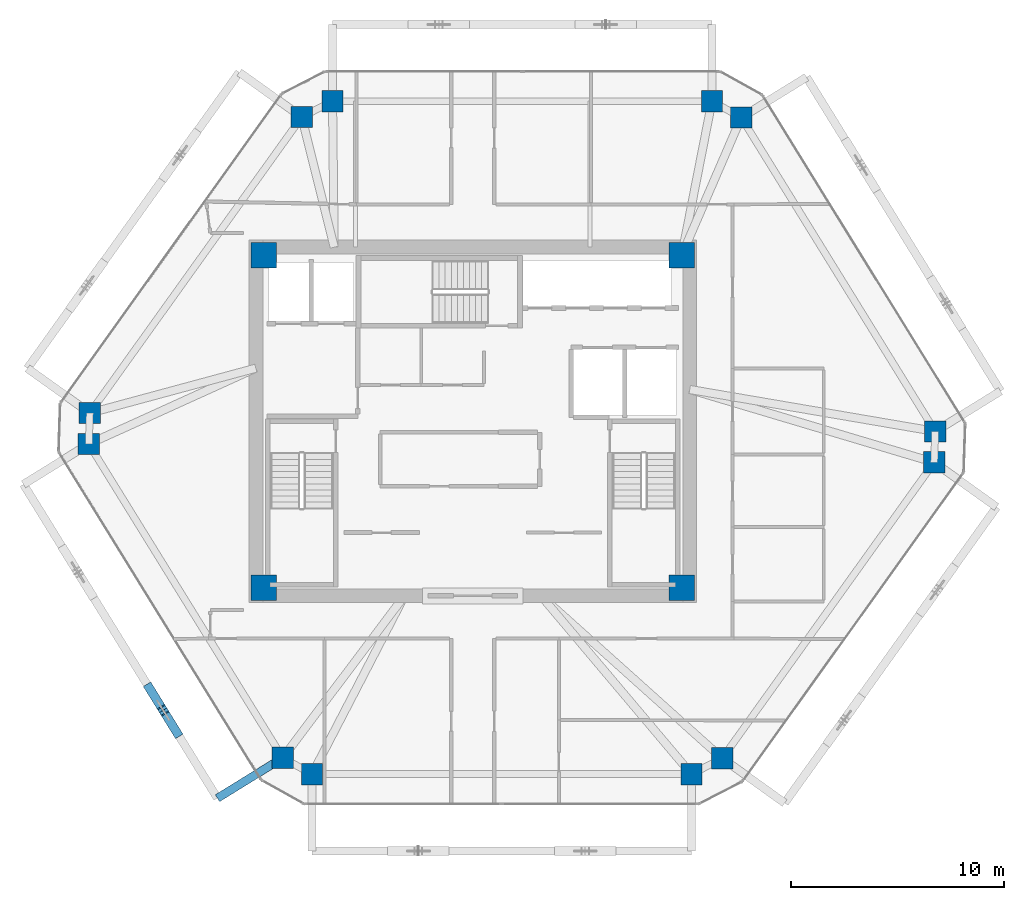
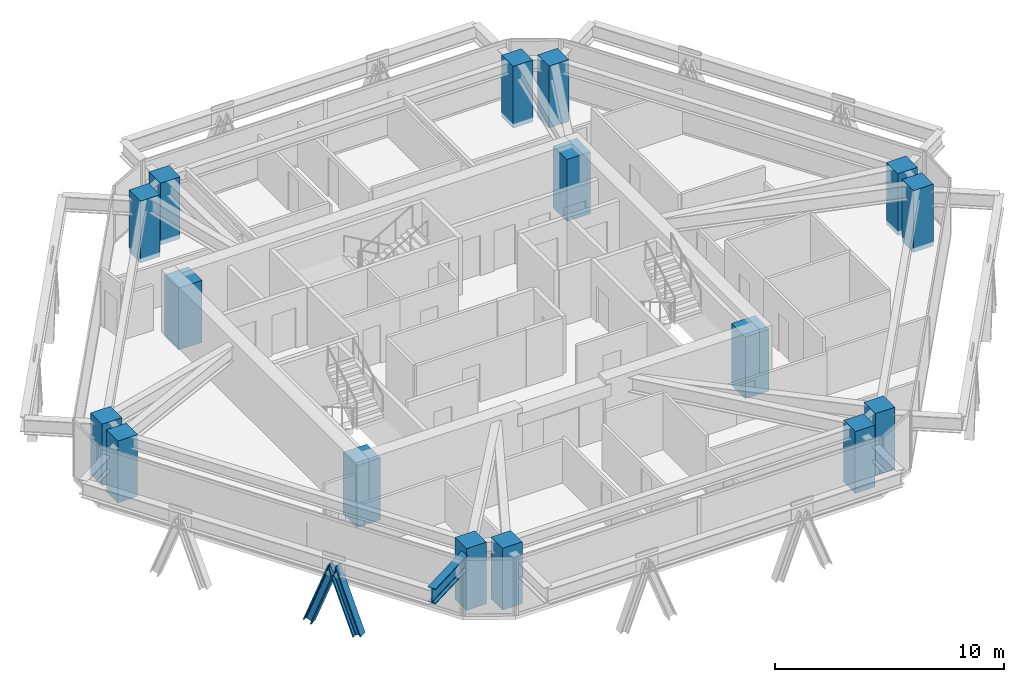
# One storey, part 1 of 14: 16 columns, 2 members, 1 beam.
"""IFC4 building model written with IfcOpenShell, lengths in metres."""

from ifc_helpers import new_model, si_unit, direction, frame, origin, origin_2d, place, context, subcontext, project, spatial, rectangle, i_section, extrude, source, transform, mapped, material, material_profile, profile_set, type_object, type_shapes, element, save


model = new_model("IFC4")

# Units and contexts
model_context = context("Model", 3, precision=1e-05, world=origin(), true_north=direction((0.0, 1.0)))
body_context = subcontext(model_context, "Body", "Model", "MODEL_VIEW")
ifc_project = project(units=[si_unit("LENGTHUNIT", "METRE"), si_unit("AREAUNIT", "SQUARE_METRE"), si_unit("VOLUMEUNIT", "CUBIC_METRE"), si_unit("PLANEANGLEUNIT", "RADIAN"), si_unit("MASSUNIT", "GRAM", prefix="KILO")], contexts=[model_context])

# Site, building, storey
site_placement = place(None, origin())
site = spatial("IfcSite", under=ifc_project, at=site_placement, CompositionType="ELEMENT")
building_placement = place(site_placement, origin())
building = spatial("IfcBuilding", under=site, at=building_placement, Name="Durnholm Broadcast Tower", CompositionType="ELEMENT")
storey_placement = place(building_placement, frame((0.0, 0.0, 187.0)))
storey = spatial("IfcBuildingStorey", under=building, at=storey_placement, Name="L51", CompositionType="ELEMENT", Elevation=187.0)

# Columns
ifc_material_1 = material(Name="Concrete C70/85", Category="concrete")
ifc_material_profile_1 = material_profile(ifc_material_1, rectangle(XDim=1.199951171875, YDim=1.199951171875, at=origin_2d()), Name="RC1200X1200")
ifc_profile_set_1 = profile_set([ifc_material_profile_1], Name="Concrete C70/85")
column_type_1 = type_object("IfcColumnType", Name="COL-CC-1200", PredefinedType="COLUMN", material=ifc_profile_set_1)
shared_shape_1 = source(origin(), body_context, "Body", "SweptSolid", [
    extrude(rectangle(XDim=1.199951171875, YDim=1.199951171875, at=origin_2d()), origin(), (0.0, 0.0, 1.0), 3.300048828125),
])
type_shapes(column_type_1, [shared_shape_1])
for number, where, z_axis, x_axis, name in (
    (1, (-9.800048828125, -7.800048828125, -0.239990234375), (0.0, 0.0, 1.0), (1.0, 0.0, 0.0), "L51 core corner column 1"),
    (2, (9.800048828125, -7.800048828125, -0.239990234375), (0.0, 0.0, 1.0), (1.0, 0.0, 0.0), "L51 core corner column 2"),
    (3, (9.800048828125, 7.800048828125, -0.239990234375), (0.0, 0.0, 1.0), (1.0, 0.0, 0.0), "L51 core corner column 3"),
    (4, (-9.800048828125, 7.800048828125, -0.239990234375), (0.0, 0.0, 1.0), (1.0, 0.0, 0.0), "L51 core corner column 4"),
):
    element("IfcColumn", number, at=place(storey_placement, frame(where, z_axis=z_axis, x_axis=x_axis)), inside=storey, type_object=column_type_1, Name=name, PredefinedType="COLUMN", context=body_context, shape_type="MappedRepresentation", body=[
        mapped(shared_shape_1, transform((0.0, 0.0, 0.0), x_axis=(1.0, 0.0, 0.0), y_axis=(0.0, 1.0, 0.0), z_axis=(0.0, 0.0, 1.0), scale=1.0)),
    ])
ifc_material_profile_2 = material_profile(ifc_material_1, rectangle(XDim=1.0, YDim=1.0, at=origin_2d()), Name="RC1000X1000")
ifc_profile_set_2 = profile_set([ifc_material_profile_2], Name="Concrete C70/85")
column_type_2 = type_object("IfcColumnType", Name="COL-CC-1000", PredefinedType="COLUMN", material=ifc_profile_set_2)
shared_shape_2 = source(origin(), body_context, "Body", "SweptSolid", [
    extrude(rectangle(XDim=1.0, YDim=1.0, at=origin_2d()), origin(), (0.0, 0.0, 1.0), 3.300048828125),
])
type_shapes(column_type_2, [shared_shape_2])
for number, where, z_axis, x_axis, name in (
    (5, (-8.91259765625, -15.7763671875, -0.239990234375), (0.0, 0.0, 1.0), (1.0, 0.0, 0.0), "L51 perimeter hexagonal tube column 01"),
    (6, (-18.009033203125, -1.056640625, -0.239990234375), (0.0, 0.0, 1.0), (1.0, 0.0, 0.0), "L51 perimeter hexagonal tube column 02"),
    (7, (-17.9599609375, 0.3955078125, -0.239990234375), (0.0, 0.0, 1.0), (1.0, 0.0, 0.0), "L51 perimeter hexagonal tube column 03"),
    (8, (-8.021728515625, 14.2763671875, -0.239990234375), (0.0, 0.0, 1.0), (1.0, 0.0, 0.0), "L51 perimeter hexagonal tube column 04"),
    (9, (-6.57861328125, 15.01806640625, -0.239990234375), (0.0, 0.0, 1.0), (1.0, 0.0, 0.0), "L51 perimeter hexagonal tube column 05"),
    (10, (11.217529296875, 15.01806640625, -0.239990234375), (0.0, 0.0, 1.0), (1.0, 0.0, 0.0), "L51 perimeter hexagonal tube column 06"),
    (11, (12.5908203125, 14.252197265625, -0.239990234375), (0.0, 0.0, 1.0), (1.0, 0.0, 0.0), "L51 perimeter hexagonal tube column 07"),
    (12, (21.68701171875, -0.46728515625, -0.239990234375), (0.0, 0.0, 1.0), (1.0, 0.0, 0.0), "L51 perimeter hexagonal tube column 08"),
    (13, (21.637939453125, -1.919677734375, -0.239990234375), (0.0, 0.0, 1.0), (1.0, 0.0, 0.0), "L51 perimeter hexagonal tube column 09"),
    (14, (11.69970703125, -15.80029296875, -0.239990234375), (0.0, 0.0, 1.0), (1.0, 0.0, 0.0), "L51 perimeter hexagonal tube column 10"),
    (15, (10.256591796875, -16.5419921875, -0.239990234375), (0.0, 0.0, 1.0), (1.0, 0.0, 0.0), "L51 perimeter hexagonal tube column 11"),
    (16, (-7.53955078125, -16.5419921875, -0.239990234375), (0.0, 0.0, 1.0), (1.0, 0.0, 0.0), "L51 perimeter hexagonal tube column 12"),
):
    element("IfcColumn", number, at=place(storey_placement, frame(where, z_axis=z_axis, x_axis=x_axis)), inside=storey, type_object=column_type_2, Name=name, PredefinedType="COLUMN", context=body_context, shape_type="MappedRepresentation", body=[
        mapped(shared_shape_2, transform((0.0, 0.0, 0.0), x_axis=(1.0, 0.0, 0.0), y_axis=(0.0, 1.0, 0.0), z_axis=(0.0, 0.0, 1.0), scale=1.0)),
    ])

# Beam
ifc_material_2 = material(Name="Steel ASTM A992 Grade 50", Category="steel")
ifc_material_profile_3 = material_profile(ifc_material_2, i_section(OverallWidth=0.385009765625, OverallDepth=0.802978515625, WebThickness=0.023681640625, FlangeThickness=0.0419921875, FilletRadius=0.032958984375, at=origin_2d()), Name="W30X261")
ifc_profile_set_3 = profile_set([ifc_material_profile_3], Name="Steel ASTM A992 Grade 50")
beam_type = type_object("IfcBeamType", Name="BM-EXO-TIE", PredefinedType="USERDEFINED", material=ifc_profile_set_3)
shared_shape_3 = source(origin(), body_context, "Body", "SweptSolid", [
    extrude(i_section(OverallWidth=0.385009765625, OverallDepth=0.802978515625, WebThickness=0.023681640625, FlangeThickness=0.0419921875, FilletRadius=0.032958984375, at=origin_2d()), origin(), (0.0, 0.0, 1.0), 3.4560546875),
])
type_shapes(beam_type, [shared_shape_3])
beam_placement = place(storey_placement, frame((-9.03515625, -15.85205078125, 2.30859375), z_axis=(-0.850693939061, -0.525661318764, 0.0), x_axis=(0.525661318764, -0.850693939061, 0.0)))
element("IfcBeam", 17, at=beam_placement, inside=storey, type_object=beam_type, Name="L51 exoskeleton stand-off tie bracket F6.2", ObjectType="GIRDER", PredefinedType="USERDEFINED", context=body_context, shape_type="MappedRepresentation", body=[
    mapped(shared_shape_3, transform((0.0, 0.0, 0.0), x_axis=(1.0, 0.0, 0.0), y_axis=(0.0, 1.0, 0.0), z_axis=(0.0, 0.0, 1.0), scale=1.0)),
])

# Members
ifc_material_3 = material(Name="Steel ASTM A913 Grade 65", Category="steel")
ifc_material_profile_4 = material_profile(ifc_material_3, i_section(OverallWidth=0.412109375, OverallDepth=0.434814453125, WebThickness=0.035888671875, FlangeThickness=0.057373046875, FilletRadius=0.030517578125, at=origin_2d()), Name="W14X311")
ifc_profile_set_4 = profile_set([ifc_material_profile_4], Name="Steel ASTM A913 Grade 65")
member_type = type_object("IfcMemberType", Name="STL-DG-W14X311", PredefinedType="BRACE", material=ifc_profile_set_4)
shared_shape_4 = source(origin(), body_context, "Body", "SweptSolid", [
    extrude(i_section(OverallWidth=0.412109375, OverallDepth=0.434814453125, WebThickness=0.035888671875, FlangeThickness=0.057373046875, FilletRadius=0.030517578125, at=origin_2d()), origin(), (0.0, 0.0, 1.0), 3.523193359375),
])
type_shapes(member_type, [shared_shape_4])
for number, where, z_axis, x_axis, name in (
    (18, (-15.170654296875, -12.497802734375, -0.991455078125), (0.184052089489, -0.297906601172, 0.936683770188), (0.850732935913, 0.525598203719, 0.0), "L51 stand-off diagrid brace F6.D2.1"),
    (19, (-13.87353515625, -14.596923828125, -0.991455078125), (-0.18411903749, 0.297902800967, 0.936671821509), (-0.850644447398, -0.525741404219, 0.0), "L51 stand-off diagrid brace F6.D2.2"),
):
    element("IfcMember", number, at=place(storey_placement, frame(where, z_axis=z_axis, x_axis=x_axis)), inside=storey, type_object=member_type, Name=name, PredefinedType="BRACE", context=body_context, shape_type="MappedRepresentation", body=[
        mapped(shared_shape_4, transform((0.0, 0.0, 0.0), x_axis=(1.0, 0.0, 0.0), y_axis=(0.0, 1.0, 0.0), z_axis=(0.0, 0.0, 1.0), scale=1.0)),
    ])

save(model, "model.ifc")
